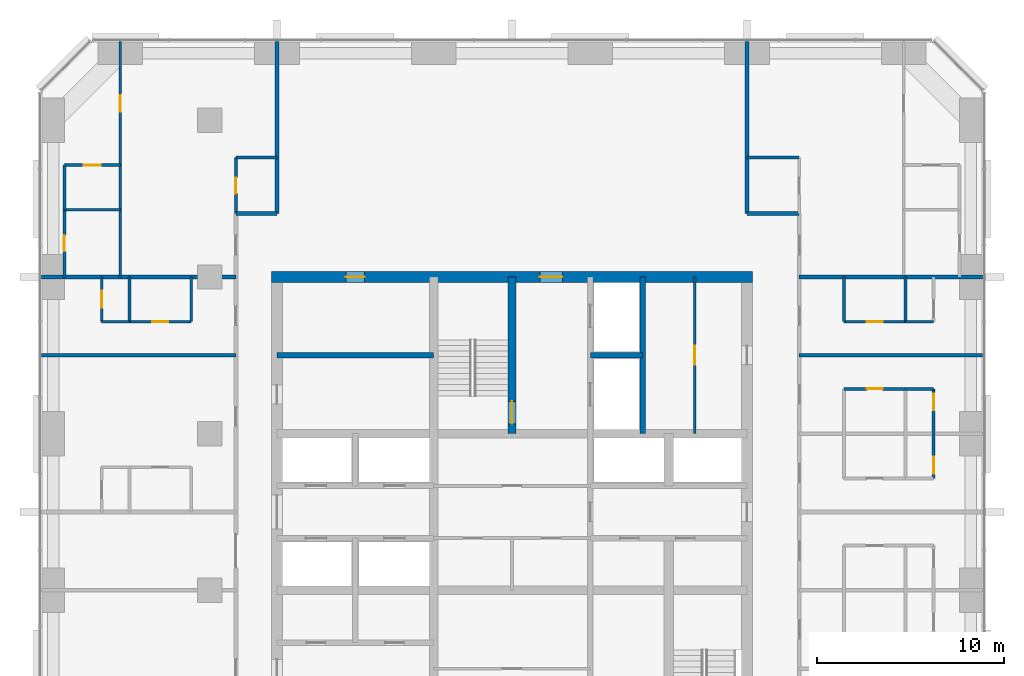
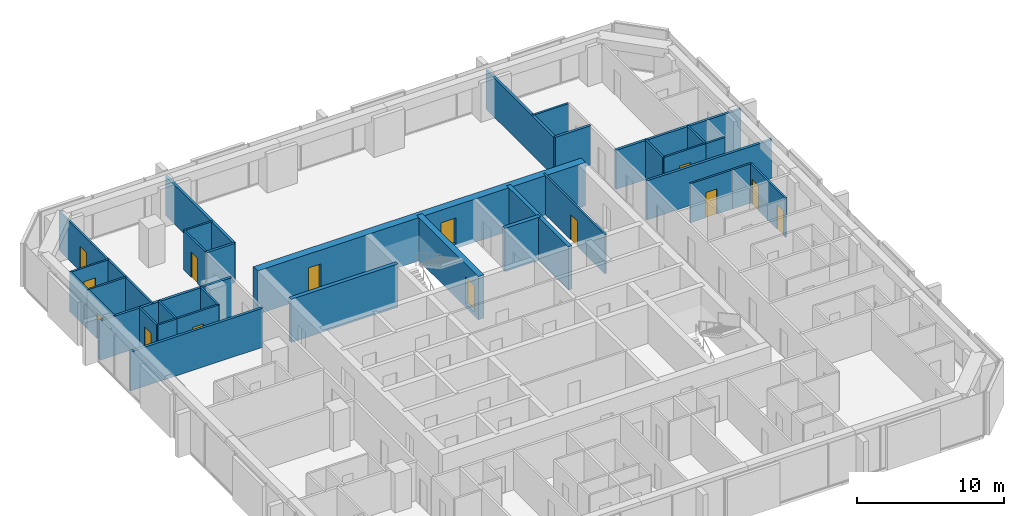
# One storey, part 12 of 14: 34 walls, 14 doors, 14 openings.
"""IFC4 building model written with IfcOpenShell, lengths in metres."""

import ifcopenshell
import ifcopenshell.guid

model = None  # the IFC model being written
_history = None  # IfcOwnerHistory: only IFC2X3 demands one
_inside = {}  # id of a spatial element -> (the spatial element, [elements in it])
_under = {}  # id of a project, library or spatial element -> (it, [spatial elements below it])
_declared = {}  # id of a project -> (the project, [libraries it declares])
_typed = {}  # id of a type object -> (the type object, [elements of that type])
_made_of = {}  # id of a material, layer set ... -> (it, [elements and type objects made of it])


def new_model(schema):
    """Start an empty IFC model of exactly this schema.

    Asked for "IFC4X3", IfcOpenShell would pick the latest addendum, in which some entities
    have other attributes; the version numbers below select the first issue.
    IFC2X3 requires an IfcOwnerHistory on every rooted entity: one is made here for all.
    """
    global model, _history
    if schema == "IFC4X3":
        model = ifcopenshell.file(schema_version=(4, 3, 0, 0))
    else:
        model = ifcopenshell.file(schema=schema)
    _inside.clear()
    _under.clear()
    _declared.clear()
    _typed.clear()
    _made_of.clear()
    _history = None
    if model.schema == "IFC2X3":
        org = make("IfcOrganization", Name="unknown")
        user = make(
            "IfcPersonAndOrganization",
            ThePerson=make("IfcPerson", FamilyName="unknown"),
            TheOrganization=org,
        )
        app = make(
            "IfcApplication",
            ApplicationDeveloper=org,
            Version="unknown",
            ApplicationFullName="unknown",
            ApplicationIdentifier="unknown",
        )
        _history = make(
            "IfcOwnerHistory",
            OwningUser=user,
            OwningApplication=app,
            ChangeAction="ADDED",
            CreationDate=0,
        )
    return model


def make(cls, **values):
    """One entity of the class cls with the attributes given. An attribute that is None is left unset."""
    return model.create_entity(
        cls, **{name: value for name, value in values.items() if value is not None}
    )


def rooted(cls, **values):
    """An entity with a GlobalId (a new one), such as an element, a storey or a relation."""
    return make(cls, GlobalId=ifcopenshell.guid.new(), OwnerHistory=_history, **values)


def si_unit(unit_type, name, prefix=None):
    """IfcSIUnit, for example si_unit("LENGTHUNIT", "METRE", prefix="MILLI")."""
    return make("IfcSIUnit", UnitType=unit_type, Prefix=prefix, Name=name)


def assignment(units):
    """IfcUnitAssignment: the units of a project."""
    return None if units is None else make("IfcUnitAssignment", Units=units)


def point(xyz):
    """IfcCartesianPoint."""
    return None if xyz is None else make("IfcCartesianPoint", Coordinates=xyz)


def direction(xyz):
    """IfcDirection."""
    return None if xyz is None else make("IfcDirection", DirectionRatios=xyz)


def frame(location, z_axis=None, x_axis=None):
    """IfcAxis2Placement3D, a coordinate frame: its origin and axes. An axis left out is left unset."""
    return make(
        "IfcAxis2Placement3D",
        Location=point(location),
        Axis=direction(z_axis),
        RefDirection=direction(x_axis),
    )


def frame_2d(location, x_axis=None):
    """IfcAxis2Placement2D, a coordinate frame in the plane: its origin and x axis."""
    return make(
        "IfcAxis2Placement2D", Location=point(location), RefDirection=direction(x_axis)
    )


def origin():
    """The frame at (0, 0, 0) with its axes left unset."""
    return frame((0.0, 0.0, 0.0))


def place(relative_to, where):
    """IfcLocalPlacement: puts the frame where relative to a parent placement (None: the world)."""
    return make(
        "IfcLocalPlacement", PlacementRelTo=relative_to, RelativePlacement=where
    )


def context(
    kind, dimensions, precision=None, world=None, true_north=None, identifier=None
):
    """IfcGeometricRepresentationContext, for example the 3D "Model" context."""
    return make(
        "IfcGeometricRepresentationContext",
        ContextIdentifier=identifier,
        ContextType=kind,
        CoordinateSpaceDimension=dimensions,
        Precision=precision,
        WorldCoordinateSystem=world,
        TrueNorth=true_north,
    )


def subcontext(parent, identifier, kind, view, scale=None):
    """IfcGeometricRepresentationSubContext, for example "Body" below "Model"."""
    return make(
        "IfcGeometricRepresentationSubContext",
        ContextIdentifier=identifier,
        ContextType=kind,
        ParentContext=parent,
        TargetScale=scale,
        TargetView=view,
    )


def project(units=None, contexts=None):
    """IfcProject with its units and contexts."""
    return rooted(
        "IfcProject",
        Name="project",
        RepresentationContexts=contexts,
        UnitsInContext=assignment(units),
    )


def spatial(cls, under=None, at=None, **own):
    """A site, building, storey or space (cls), placed at a placement, below another one or the project."""
    s = rooted(cls, ObjectPlacement=at, **own)
    if under is not None:
        _under.setdefault(under.id(), (under, []))[1].append(s)
    return s


def profile(cls, at=None, kind="AREA", **sizes):
    """A parametric profile (cls). Its sizes go by their IFC names, for example OverallWidth=200.0."""
    return make(cls, ProfileType=kind, Position=at, **sizes)


def rectangle(**sizes):
    """IfcRectangleProfileDef."""
    return profile("IfcRectangleProfileDef", **sizes)


def extrude(swept, where, along, depth):
    """IfcExtrudedAreaSolid: the profile swept, set in the frame where, extruded along a direction by depth."""
    return make(
        "IfcExtrudedAreaSolid",
        SweptArea=swept,
        Position=where,
        ExtrudedDirection=direction(along),
        Depth=depth,
    )


def shape(context_of_items, identifier, shape_type, items):
    """IfcShapeRepresentation: the items that make up one representation, for example the "Body"."""
    return make(
        "IfcShapeRepresentation",
        ContextOfItems=context_of_items,
        RepresentationIdentifier=identifier,
        RepresentationType=shape_type,
        Items=items,
    )


def material(Name=None, Category=None):
    """IfcMaterial."""
    return make("IfcMaterial", Name=Name, Category=Category)


def layer(
    of_material, thickness, ventilated=None, Name=None, Category=None, Priority=None
):
    """IfcMaterialLayer: one layer of a wall or slab, of a material (None: an air gap)."""
    return make(
        "IfcMaterialLayer",
        Material=of_material,
        LayerThickness=thickness,
        IsVentilated=ventilated,
        Name=Name,
        Category=Category,
        Priority=Priority,
    )


def layer_set(layers, Name=None):
    """IfcMaterialLayerSet."""
    return make("IfcMaterialLayerSet", MaterialLayers=layers, LayerSetName=Name)


def made_of(thing, what):
    """Note that an element or type object is made of a material, layer set ...; save() writes the relation."""
    if what is not None:
        _made_of.setdefault(what.id(), (what, []))[1].append(thing)
    return thing


def type_object(cls, material=None, **own):
    """A type object (cls), such as IfcWallType, which elements share."""
    return made_of(rooted(cls, **own), material)


def element(
    cls,
    number,
    at=None,
    inside=None,
    cuts=None,
    type_object=None,
    material=None,
    context=None,
    identifier="Body",
    shape_type=None,
    held_by="IfcProductDefinitionShape",
    body=None,
    shapes=None,
    **own,
):
    """One element of the class cls, such as IfcWall. Its Tag is "e" and its number.

    at: its placement. inside: the storey or other place that contains it. cuts: it is an
    opening in that element (IfcRelVoidsElement). A single representation is given by context,
    identifier, shape_type and body (its items); several are given by shapes. held_by: the class
    of the entity that holds the representations. save() writes the other relations.
    """
    e = rooted(cls, Tag="e%d" % number, ObjectPlacement=at, **own)
    if body is not None:
        shapes = [shape(context, identifier, shape_type, body)]
    if shapes is not None:
        e.Representation = make(held_by, Representations=shapes)
    if inside is not None:
        _inside.setdefault(inside.id(), (inside, []))[1].append(e)
    if cuts is not None:
        rooted(
            "IfcRelVoidsElement", RelatingBuildingElement=cuts, RelatedOpeningElement=e
        )
    if type_object is not None:
        _typed.setdefault(type_object.id(), (type_object, []))[1].append(e)
    return made_of(e, material)


def fill(opening, filler):
    """IfcRelFillsElement: the door or window that sits in an opening."""
    return rooted(
        "IfcRelFillsElement",
        RelatingOpeningElement=opening,
        RelatedBuildingElement=filler,
    )


def aggregate(whole, parts):
    """IfcRelAggregates: a whole, such as a stair, and the parts it consists of."""
    return rooted("IfcRelAggregates", RelatingObject=whole, RelatedObjects=parts)


def save(model, path):
    """Write the relations noted so far, then the file.

    IfcRelAggregates (storeys below a building ...), IfcRelContainedInSpatialStructure (elements
    in a storey), IfcRelDefinesByType, IfcRelAssociatesMaterial and IfcRelDeclares: one each for
    every whole, place, type object, material and project.
    """
    for whole, parts in _under.values():
        aggregate(whole, parts)
    for where, things in _inside.values():
        rooted(
            "IfcRelContainedInSpatialStructure",
            RelatedElements=things,
            RelatingStructure=where,
        )
    for kind, things in _typed.values():
        rooted("IfcRelDefinesByType", RelatedObjects=things, RelatingType=kind)
    for what, things in _made_of.values():
        rooted("IfcRelAssociatesMaterial", RelatedObjects=things, RelatingMaterial=what)
    for by, libraries in _declared.values():
        rooted("IfcRelDeclares", RelatingContext=by, RelatedDefinitions=libraries)
    model.write(path)


model = new_model("IFC4")

# Units and contexts
model_context = context("Model", 3, precision=1e-05, world=origin(), true_north=direction((0.0, 1.0)))
body_context = subcontext(model_context, "Body", "Model", "MODEL_VIEW")
ifc_project = project(units=[si_unit("LENGTHUNIT", "METRE"), si_unit("AREAUNIT", "SQUARE_METRE"), si_unit("VOLUMEUNIT", "CUBIC_METRE"), si_unit("PLANEANGLEUNIT", "RADIAN"), si_unit("MASSUNIT", "GRAM", prefix="KILO")], contexts=[model_context])

# Site, building, storey
site_placement = place(None, origin())
site = spatial("IfcSite", under=ifc_project, at=site_placement, CompositionType="ELEMENT")
building_placement = place(site_placement, origin())
building = spatial("IfcBuilding", under=site, at=building_placement, Name="Dunama Terrace Hotel", CompositionType="ELEMENT")
storey_placement = place(building_placement, frame((0.0, 0.0, 180.60009765625)))
storey = spatial("IfcBuildingStorey", under=building, at=storey_placement, Name="L46", CompositionType="ELEMENT", Elevation=180.60009765625)

# Wall, opening, door
ifc_material_1 = material(Name="Gypsum board partition", Category="masonry")
ifc_layer_1 = layer(ifc_material_1, 0.14990234375)
ifc_layer_set_1 = layer_set([ifc_layer_1], Name="Bathroom partition 150")
wall_type_1 = type_object("IfcWallType", Name="Bathroom partition 150", PredefinedType="PARTITIONING", material=ifc_layer_set_1)
wall_1_placement = place(storey_placement, frame((5.39990234375, 42.0, 0.0), z_axis=(0.0, 0.0, 1.0), x_axis=(0.0, 1.0, 0.0)))
wall_1 = element("IfcWall", 1, at=wall_1_placement, inside=storey, type_object=wall_type_1, Name="Bathroom partition 150 L46", PredefinedType="PARTITIONING", context=body_context, shape_type="SweptSolid", body=[
    extrude(rectangle(XDim=3.60009765625, YDim=0.14990234375, at=frame_2d((1.800048828125, 0.0))), origin(), (0.0, 0.0, 1.0), 3.25),
])
opening_1_placement = place(wall_1_placement, frame((1.375, 0.0, 0.0)))
opening_1 = element("IfcOpeningElement", 2, at=opening_1_placement, cuts=wall_1, Name="Opening L46-47-070", PredefinedType="OPENING", context=body_context, shape_type="SweptSolid", body=[
    extrude(rectangle(XDim=0.85009765625, YDim=2.10009765625, at=frame_2d((0.425048828125, 1.050048828125))), frame((0.0, 0.0849609375, 0.0), z_axis=(0.0, -1.0, 0.0), x_axis=(1.0, 0.0, 0.0)), (0.0, 0.0, 1.0), 0.169921875),
])
ifc_material_2 = material(Name="Timber door with steel frame", Category="steel")
door_type_1 = type_object("IfcDoorType", Name="Bathroom door 850", OperationType="SINGLE_SWING_LEFT", PredefinedType="DOOR", material=ifc_material_2)
door_1_placement = place(opening_1_placement, frame((0.85009765625, 0.0, 0.0), z_axis=(0.0, 0.0, 1.0), x_axis=(-1.0, 0.0, 0.0)))
door_1 = element("IfcDoor", 3, at=door_1_placement, inside=storey, type_object=door_type_1, Name="Door to en-suite bathroom L46-47-070, type D2", OperationType="SINGLE_SWING_RIGHT", OverallHeight=2.10009765625, OverallWidth=0.85009765625, PredefinedType="DOOR", context=body_context, shape_type="SweptSolid", body=[
    extrude(rectangle(XDim=0.85009765625, YDim=2.10009765625, at=frame_2d((0.425048828125, 1.050048828125))), frame((0.0, 0.025146484375, 0.0), z_axis=(0.0, -1.0, 0.0), x_axis=(1.0, 0.0, 0.0)), (0.0, 0.0, 1.0), 0.050048828125),
])
fill(opening_1, door_1)

# Wall
wall_2_placement = place(storey_placement, frame((12.199951171875, 39.60009765625, 0.0), z_axis=(0.0, 0.0, 1.0), x_axis=(0.0, 1.0, 0.0)))
element("IfcWall", 4, at=wall_2_placement, inside=storey, type_object=wall_type_1, Name="Bathroom partition 150 L46", PredefinedType="PARTITIONING", context=body_context, shape_type="SweptSolid", body=[
    extrude(rectangle(XDim=2.39990234375, YDim=0.14990234375, at=frame_2d((1.199951171875, 0.0))), origin(), (0.0, 0.0, 1.0), 3.25),
])

# Wall, opening, door
wall_3_placement = place(storey_placement, frame((14.60009765625, 45.39990234375, 0.0), z_axis=(0.0, 0.0, 1.0), x_axis=(0.0, 1.0, 0.0)))
wall_3 = element("IfcWall", 5, at=wall_3_placement, inside=storey, type_object=wall_type_1, Name="Bathroom partition 150 L46", PredefinedType="PARTITIONING", context=body_context, shape_type="SweptSolid", body=[
    extrude(rectangle(XDim=3.0, YDim=0.14990234375, at=frame_2d((1.5, 0.0))), origin(), (0.0, 0.0, 1.0), 3.25),
])
opening_2_placement = place(wall_3_placement, frame((1.074951171875, 0.0, 0.0)))
opening_2 = element("IfcOpeningElement", 6, at=opening_2_placement, cuts=wall_3, Name="Opening L46-47-068", PredefinedType="OPENING", context=body_context, shape_type="SweptSolid", body=[
    extrude(rectangle(XDim=0.85009765625, YDim=2.10009765625, at=frame_2d((0.425048828125, 1.050048828125))), frame((0.0, 0.0849609375, 0.0), z_axis=(0.0, -1.0, 0.0), x_axis=(1.0, 0.0, 0.0)), (0.0, 0.0, 1.0), 0.169921875),
])
door_2_placement = place(opening_2_placement, frame((0.85009765625, 0.0, 0.0), z_axis=(0.0, 0.0, 1.0), x_axis=(-1.0, 0.0, 0.0)))
door_2 = element("IfcDoor", 7, at=door_2_placement, inside=storey, type_object=door_type_1, Name="Door to powder room L46-47-068, type D2", OperationType="SINGLE_SWING_RIGHT", OverallHeight=2.10009765625, OverallWidth=0.85009765625, PredefinedType="DOOR", context=body_context, shape_type="SweptSolid", body=[
    extrude(rectangle(XDim=0.85009765625, YDim=2.10009765625, at=frame_2d((0.425048828125, 1.050048828125))), frame((0.0, 0.025146484375, 0.0), z_axis=(0.0, -1.0, 0.0), x_axis=(1.0, 0.0, 0.0)), (0.0, 0.0, 1.0), 0.050048828125),
])
fill(opening_2, door_2)

# Wall
wall_4_placement = place(storey_placement, frame((47.199951171875, 39.60009765625, 0.0), z_axis=(0.0, 0.0, 1.0), x_axis=(0.0, 1.0, 0.0)))
element("IfcWall", 8, at=wall_4_placement, inside=storey, type_object=wall_type_1, Name="Bathroom partition 150 L46", PredefinedType="PARTITIONING", context=body_context, shape_type="SweptSolid", body=[
    extrude(rectangle(XDim=2.39990234375, YDim=0.14990234375, at=frame_2d((1.199951171875, 0.0))), origin(), (0.0, 0.0, 1.0), 3.25),
])

# Wall, opening, door
wall_5_placement = place(storey_placement, frame((47.199951171875, 36.0, 0.0), z_axis=(0.0, 0.0, 1.0), x_axis=(1.0, 0.0, 0.0)))
wall_5 = element("IfcWall", 9, at=wall_5_placement, inside=storey, type_object=wall_type_1, Name="Bathroom partition 150 L46", PredefinedType="PARTITIONING", context=body_context, shape_type="SweptSolid", body=[
    extrude(rectangle(XDim=3.300048828125, YDim=0.14990234375, at=frame_2d((1.64990234375, 0.0))), origin(), (0.0, 0.0, 1.0), 3.25),
])
opening_3_placement = place(wall_5_placement, frame((1.22509765625, 0.0, 0.0)))
opening_3 = element("IfcOpeningElement", 10, at=opening_3_placement, cuts=wall_5, Name="Opening L46-47-037", PredefinedType="OPENING", context=body_context, shape_type="SweptSolid", body=[
    extrude(rectangle(XDim=0.85009765625, YDim=2.10009765625, at=frame_2d((0.425048828125, 1.050048828125))), frame((0.0, 0.0849609375, 0.0), z_axis=(0.0, -1.0, 0.0), x_axis=(1.0, 0.0, 0.0)), (0.0, 0.0, 1.0), 0.169921875),
])
door_3_placement = place(opening_3_placement, frame((0.85009765625, 0.0, 0.0), z_axis=(0.0, 0.0, 1.0), x_axis=(-1.0, 0.0, 0.0)))
door_3 = element("IfcDoor", 11, at=door_3_placement, inside=storey, type_object=door_type_1, Name="Door to en-suite bathroom L46-47-037, type D2", OperationType="SINGLE_SWING_LEFT", OverallHeight=2.10009765625, OverallWidth=0.85009765625, PredefinedType="DOOR", context=body_context, shape_type="SweptSolid", body=[
    extrude(rectangle(XDim=0.85009765625, YDim=2.10009765625, at=frame_2d((0.425048828125, 1.050048828125))), frame((0.0, 0.025146484375, 0.0), z_axis=(0.0, -1.0, 0.0), x_axis=(1.0, 0.0, 0.0)), (0.0, 0.0, 1.0), 0.050048828125),
])
fill(opening_3, door_3)

wall_6_placement = place(storey_placement, frame((8.89990234375, 39.60009765625, 0.0), z_axis=(0.0, 0.0, 1.0), x_axis=(1.0, 0.0, 0.0)))
wall_6 = element("IfcWall", 12, at=wall_6_placement, inside=storey, type_object=wall_type_1, Name="Bathroom partition 150 L46", PredefinedType="PARTITIONING", context=body_context, shape_type="SweptSolid", body=[
    extrude(rectangle(XDim=3.300048828125, YDim=0.14990234375, at=frame_2d((1.64990234375, 0.0))), origin(), (0.0, 0.0, 1.0), 3.25),
])
opening_4_placement = place(wall_6_placement, frame((1.22509765625, 0.0, 0.0)))
opening_4 = element("IfcOpeningElement", 13, at=opening_4_placement, cuts=wall_6, Name="Opening L46-47-050", PredefinedType="OPENING", context=body_context, shape_type="SweptSolid", body=[
    extrude(rectangle(XDim=0.85009765625, YDim=2.10009765625, at=frame_2d((0.425048828125, 1.050048828125))), frame((0.0, 0.0849609375, 0.0), z_axis=(0.0, -1.0, 0.0), x_axis=(1.0, 0.0, 0.0)), (0.0, 0.0, 1.0), 0.169921875),
])
door_4_placement = place(opening_4_placement, origin())
door_4 = element("IfcDoor", 14, at=door_4_placement, inside=storey, type_object=door_type_1, Name="Door to en-suite bathroom L46-47-050, type D2", OperationType="SINGLE_SWING_LEFT", OverallHeight=2.10009765625, OverallWidth=0.85009765625, PredefinedType="DOOR", context=body_context, shape_type="SweptSolid", body=[
    extrude(rectangle(XDim=0.85009765625, YDim=2.10009765625, at=frame_2d((0.425048828125, 1.050048828125))), frame((0.0, 0.02490234375, 0.0), z_axis=(0.0, -1.0, 0.0), x_axis=(1.0, 0.0, 0.0)), (0.0, 0.0, 1.0), 0.050048828125),
])
fill(opening_4, door_4)

wall_7_placement = place(storey_placement, frame((47.199951171875, 39.60009765625, 0.0), z_axis=(0.0, 0.0, 1.0), x_axis=(1.0, 0.0, 0.0)))
wall_7 = element("IfcWall", 15, at=wall_7_placement, inside=storey, type_object=wall_type_1, Name="Bathroom partition 150 L46", PredefinedType="PARTITIONING", context=body_context, shape_type="SweptSolid", body=[
    extrude(rectangle(XDim=3.300048828125, YDim=0.14990234375, at=frame_2d((1.64990234375, 0.0))), origin(), (0.0, 0.0, 1.0), 3.25),
])
opening_5_placement = place(wall_7_placement, frame((1.22509765625, 0.0, 0.0)))
opening_5 = element("IfcOpeningElement", 16, at=opening_5_placement, cuts=wall_7, Name="Opening L46-47-040", PredefinedType="OPENING", context=body_context, shape_type="SweptSolid", body=[
    extrude(rectangle(XDim=0.85009765625, YDim=2.10009765625, at=frame_2d((0.425048828125, 1.050048828125))), frame((0.0, 0.0849609375, 0.0), z_axis=(0.0, -1.0, 0.0), x_axis=(1.0, 0.0, 0.0)), (0.0, 0.0, 1.0), 0.169921875),
])
door_5_placement = place(opening_5_placement, origin())
door_5 = element("IfcDoor", 17, at=door_5_placement, inside=storey, type_object=door_type_1, Name="Door to en-suite bathroom L46-47-040, type D2", OperationType="SINGLE_SWING_RIGHT", OverallHeight=2.10009765625, OverallWidth=0.85009765625, PredefinedType="DOOR", context=body_context, shape_type="SweptSolid", body=[
    extrude(rectangle(XDim=0.85009765625, YDim=2.10009765625, at=frame_2d((0.425048828125, 1.050048828125))), frame((0.0, 0.02490234375, 0.0), z_axis=(0.0, -1.0, 0.0), x_axis=(1.0, 0.0, 0.0)), (0.0, 0.0, 1.0), 0.050048828125),
])
fill(opening_5, door_5)

# Walls
wall_8_placement = place(storey_placement, frame((14.60009765625, 48.39990234375, 0.0), z_axis=(0.0, 0.0, 1.0), x_axis=(1.0, 0.0, 0.0)))
element("IfcWall", 18, at=wall_8_placement, inside=storey, type_object=wall_type_1, Name="Bathroom partition 150 L46", PredefinedType="PARTITIONING", context=body_context, shape_type="SweptSolid", body=[
    extrude(rectangle(XDim=2.199951171875, YDim=0.14990234375, at=frame_2d((1.10009765625, 0.0))), origin(), (0.0, 0.0, 1.0), 3.25),
])
wall_9_placement = place(storey_placement, frame((42.0, 48.39990234375, 0.0), z_axis=(0.0, 0.0, 1.0), x_axis=(1.0, 0.0, 0.0)))
element("IfcWall", 19, at=wall_9_placement, inside=storey, type_object=wall_type_1, Name="Bathroom partition 150 L46", PredefinedType="PARTITIONING", context=body_context, shape_type="SweptSolid", body=[
    extrude(rectangle(XDim=2.800048828125, YDim=0.14990234375, at=frame_2d((1.39990234375, 0.0))), origin(), (0.0, 0.0, 1.0), 3.25),
])
ifc_material_3 = material(Name="Concrete C50/60", Category="concrete")
ifc_layer_2 = layer(ifc_material_3, 0.300048828125)
ifc_layer_set_2 = layer_set([ifc_layer_2], Name="Core inner wall 300")
wall_type_2 = type_object("IfcWallType", Name="Core inner wall 300", PredefinedType="SHEAR", material=ifc_layer_set_2)
for number, where, z_axis, x_axis, name in (
    (20, (36.39990234375, 33.60009765625, -0.35009765625), (0.0, 0.0, 1.0), (0.0, 1.0, 0.0), "Core inner wall 300 L46"),
    (21, (16.800048828125, 37.800048828125, -0.35009765625), (0.0, 0.0, 1.0), (1.0, 0.0, 0.0), "Core inner wall 300 L46"),
):
    element("IfcWall", number, at=place(storey_placement, frame(where, z_axis=z_axis, x_axis=x_axis)), inside=storey, type_object=wall_type_2, Name=name, PredefinedType="SHEAR", context=body_context, shape_type="SweptSolid", body=[
        extrude(rectangle(XDim=8.39990234375, YDim=0.300048828125, at=frame_2d((4.199951171875, 0.0))), origin(), (0.0, 0.0, 1.0), 3.60009765625),
    ])
wall_10_placement = place(storey_placement, frame((33.60009765625, 37.800048828125, -0.35009765625), z_axis=(0.0, 0.0, 1.0), x_axis=(1.0, 0.0, 0.0)))
element("IfcWall", 22, at=wall_10_placement, inside=storey, type_object=wall_type_2, Name="Core inner wall 300 L46", PredefinedType="SHEAR", context=body_context, shape_type="SweptSolid", body=[
    extrude(rectangle(XDim=2.7998046875, YDim=0.300048828125, at=frame_2d((1.39990234375, 0.0))), origin(), (0.0, 0.0, 1.0), 3.60009765625),
])

# Wall, opening, door
ifc_material_4 = material(Name="Concrete C50/60", Category="concrete")
ifc_layer_3 = layer(ifc_material_4, 0.449951171875)
ifc_layer_set_3 = layer_set([ifc_layer_3], Name="Core inner wall 450")
wall_type_3 = type_object("IfcWallType", Name="Core inner wall 450", PredefinedType="SHEAR", material=ifc_layer_set_3)
wall_11_placement = place(storey_placement, frame((29.39990234375, 33.60009765625, -0.35009765625), z_axis=(0.0, 0.0, 1.0), x_axis=(0.0, 1.0, 0.0)))
wall_11 = element("IfcWall", 23, at=wall_11_placement, inside=storey, type_object=wall_type_3, Name="Core inner wall 450 L46", PredefinedType="SHEAR", context=body_context, shape_type="SweptSolid", body=[
    extrude(rectangle(XDim=8.39990234375, YDim=0.449951171875, at=frame_2d((4.199951171875, 0.0))), origin(), (0.0, 0.0, 1.0), 3.60009765625),
])
opening_6_placement = place(wall_11_placement, frame((0.52490234375, 0.0, 0.35009765625)))
opening_6 = element("IfcOpeningElement", 24, at=opening_6_placement, cuts=wall_11, Name="Opening L46-47-001", PredefinedType="OPENING", context=body_context, shape_type="SweptSolid", body=[
    extrude(rectangle(XDim=1.199951171875, YDim=2.199951171875, at=frame_2d((0.60009765625, 1.10009765625))), frame((0.0, 0.23486328125, 0.0), z_axis=(0.0, -1.0, 0.0), x_axis=(1.0, 0.0, 0.0)), (0.0, 0.0, 1.0), 0.469970703125),
])
ifc_material_5 = material(Name="Timber door with steel frame", Category="steel")
door_type_2 = type_object("IfcDoorType", Name="Stair door 1200", OperationType="SINGLE_SWING_LEFT", PredefinedType="DOOR", material=ifc_material_5)
door_6_placement = place(opening_6_placement, origin())
door_6 = element("IfcDoor", 25, at=door_6_placement, inside=storey, type_object=door_type_2, Name="Stair door ST1 L46-47-001, type D5", OperationType="SINGLE_SWING_LEFT", OverallHeight=2.199951171875, OverallWidth=1.199951171875, PredefinedType="DOOR", context=body_context, shape_type="SweptSolid", body=[
    extrude(rectangle(XDim=1.199951171875, YDim=2.199951171875, at=frame_2d((0.60009765625, 1.10009765625))), frame((0.0, 0.02490234375, 0.0), z_axis=(0.0, -1.0, 0.0), x_axis=(1.0, 0.0, 0.0)), (0.0, 0.0, 1.0), 0.050048828125),
])
fill(opening_6, door_6)

# Wall, openings, doors
ifc_material_6 = material(Name="Concrete C50/60", Category="concrete")
ifc_layer_4 = layer(ifc_material_6, 0.60009765625)
ifc_layer_set_4 = layer_set([ifc_layer_4], Name="Core wall 600")
wall_type_4 = type_object("IfcWallType", Name="Core wall 600", PredefinedType="SHEAR", material=ifc_layer_set_4)
wall_12_placement = place(storey_placement, frame((42.300048828125, 42.0, -0.35009765625), z_axis=(0.0, 0.0, 1.0), x_axis=(-1.0, 0.0, 0.0)))
wall_12 = element("IfcWall", 26, at=wall_12_placement, inside=storey, type_object=wall_type_4, Name="Core wall north L46", PredefinedType="SHEAR", context=body_context, shape_type="SweptSolid", body=[
    extrude(rectangle(XDim=25.800048828125, YDim=0.60009765625, at=frame_2d((12.89990234375, 0.0))), origin(), (0.0, 0.0, 1.0), 3.60009765625),
])
opening_7_placement = place(wall_12_placement, frame((20.800048828125, 0.0, 0.35009765625)))
opening_7 = element("IfcOpeningElement", 27, at=opening_7_placement, cuts=wall_12, Name="Opening L46-47-079", PredefinedType="OPENING", context=body_context, shape_type="SweptSolid", body=[
    extrude(rectangle(XDim=1.0, YDim=2.10009765625, at=frame_2d((0.5, 1.050048828125))), frame((0.0, 0.31005859375, 0.0), z_axis=(0.0, -1.0, 0.0), x_axis=(1.0, 0.0, 0.0)), (0.0, 0.0, 1.0), 0.6201171875),
])
opening_8_placement = place(wall_12_placement, frame((10.199951171875, 0.0, 0.35009765625)))
opening_8 = element("IfcOpeningElement", 28, at=opening_8_placement, cuts=wall_12, Name="Opening L46-47-087", PredefinedType="OPENING", context=body_context, shape_type="SweptSolid", body=[
    extrude(rectangle(XDim=1.199951171875, YDim=2.199951171875, at=frame_2d((0.60009765625, 1.10009765625))), frame((0.0, 0.31005859375, 0.0), z_axis=(0.0, -1.0, 0.0), x_axis=(1.0, 0.0, 0.0)), (0.0, 0.0, 1.0), 0.6201171875),
])
ifc_material_7 = material(Name="Timber door with steel frame", Category="steel")
door_type_3 = type_object("IfcDoorType", Name="Firefighting lobby door 1200", OperationType="SINGLE_SWING_LEFT", PredefinedType="DOOR", material=ifc_material_7)
door_7_placement = place(opening_8_placement, origin())
door_7 = element("IfcDoor", 29, at=door_7_placement, inside=storey, type_object=door_type_3, Name="Door to firefighting lobby L46-47-087, type D4", OperationType="SINGLE_SWING_RIGHT", OverallHeight=2.199951171875, OverallWidth=1.199951171875, PredefinedType="DOOR", context=body_context, shape_type="SweptSolid", body=[
    extrude(rectangle(XDim=1.199951171875, YDim=2.199951171875, at=frame_2d((0.60009765625, 1.10009765625))), frame((0.0, 0.02490234375, 0.0), z_axis=(0.0, -1.0, 0.0), x_axis=(1.0, 0.0, 0.0)), (0.0, 0.0, 1.0), 0.050048828125),
])
fill(opening_8, door_7)
ifc_material_8 = material(Name="Timber door with steel frame", Category="steel")
door_type_4 = type_object("IfcDoorType", Name="Service door 1000", OperationType="SINGLE_SWING_LEFT", PredefinedType="DOOR", material=ifc_material_8)
door_8_placement = place(opening_7_placement, origin())
door_8 = element("IfcDoor", 30, at=door_8_placement, inside=storey, type_object=door_type_4, Name="Door to communications and riser room L46-47-079, type D7", OperationType="SINGLE_SWING_LEFT", OverallHeight=2.10009765625, OverallWidth=1.0, PredefinedType="DOOR", context=body_context, shape_type="SweptSolid", body=[
    extrude(rectangle(XDim=1.0, YDim=2.10009765625, at=frame_2d((0.5, 1.050048828125))), frame((0.0, 0.02490234375, 0.0), z_axis=(0.0, -1.0, 0.0), x_axis=(1.0, 0.0, 0.0)), (0.0, 0.0, 1.0), 0.050048828125),
])
fill(opening_7, door_8)

# Walls
ifc_material_9 = material(Name="Concrete blockwork", Category="masonry")
ifc_layer_5 = layer(ifc_material_9, 0.199951171875)
ifc_layer_set_5 = layer_set([ifc_layer_5], Name="Corridor partition 200")
wall_type_5 = type_object("IfcWallType", Name="Corridor partition 200", PredefinedType="PARTITIONING", material=ifc_layer_set_5)
wall_13_placement = place(storey_placement, frame((16.800048828125, 45.39990234375, 0.0), z_axis=(0.0, 0.0, 1.0), x_axis=(0.0, 1.0, 0.0)))
element("IfcWall", 31, at=wall_13_placement, inside=storey, type_object=wall_type_5, Name="Corridor partition 200 L46", PredefinedType="PARTITIONING", context=body_context, shape_type="SweptSolid", body=[
    extrude(rectangle(XDim=9.218017578125, YDim=0.199951171875, at=frame_2d((4.60888671875, 0.0))), origin(), (0.0, 0.0, 1.0), 3.25),
])
wall_14_placement = place(storey_placement, frame((14.60009765625, 45.39990234375, 0.0), z_axis=(0.0, 0.0, 1.0), x_axis=(1.0, 0.0, 0.0)))
element("IfcWall", 32, at=wall_14_placement, inside=storey, type_object=wall_type_5, Name="Corridor partition 200 L46", PredefinedType="PARTITIONING", context=body_context, shape_type="SweptSolid", body=[
    extrude(rectangle(XDim=2.199951171875, YDim=0.199951171875, at=frame_2d((1.10009765625, 0.0))), origin(), (0.0, 0.0, 1.0), 3.25),
])
wall_15_placement = place(storey_placement, frame((42.0, 45.39990234375, 0.0), z_axis=(0.0, 0.0, 1.0), x_axis=(1.0, 0.0, 0.0)))
element("IfcWall", 33, at=wall_15_placement, inside=storey, type_object=wall_type_5, Name="Corridor partition 200 L46", PredefinedType="PARTITIONING", context=body_context, shape_type="SweptSolid", body=[
    extrude(rectangle(XDim=2.800048828125, YDim=0.199951171875, at=frame_2d((1.39990234375, 0.0))), origin(), (0.0, 0.0, 1.0), 3.25),
])
wall_16_placement = place(storey_placement, frame((42.0, 54.617919921875, 0.0), z_axis=(0.0, 0.0, 1.0), x_axis=(0.0, -1.0, 0.0)))
element("IfcWall", 34, at=wall_16_placement, inside=storey, type_object=wall_type_5, Name="Corridor partition 200 L46", PredefinedType="PARTITIONING", context=body_context, shape_type="SweptSolid", body=[
    extrude(rectangle(XDim=9.218017578125, YDim=0.199951171875, at=frame_2d((4.60888671875, 0.0))), origin(), (0.0, 0.0, 1.0), 3.25),
])
ifc_material_10 = material(Name="Concrete blockwork", Category="masonry")
ifc_layer_6 = layer(ifc_material_10, 0.199951171875)
ifc_layer_set_6 = layer_set([ifc_layer_6], Name="Party wall 200")
wall_type_6 = type_object("IfcWallType", Name="Party wall 200", PredefinedType="PARTITIONING", material=ifc_layer_set_6)
wall_17_placement = place(storey_placement, frame((4.181884765625, 37.800048828125, 0.0), z_axis=(0.0, 0.0, 1.0), x_axis=(1.0, 0.0, 0.0)))
element("IfcWall", 35, at=wall_17_placement, inside=storey, type_object=wall_type_6, Name="Party wall 200 L46", PredefinedType="PARTITIONING", context=body_context, shape_type="SweptSolid", body=[
    extrude(rectangle(XDim=10.418212890625, YDim=0.199951171875, at=frame_2d((5.208984375, 0.0))), origin(), (0.0, 0.0, 1.0), 3.25),
])
wall_18_placement = place(storey_placement, frame((44.800048828125, 37.800048828125, 0.0), z_axis=(0.0, 0.0, 1.0), x_axis=(1.0, 0.0, 0.0)))
element("IfcWall", 36, at=wall_18_placement, inside=storey, type_object=wall_type_6, Name="Party wall 200 L46", PredefinedType="PARTITIONING", context=body_context, shape_type="SweptSolid", body=[
    extrude(rectangle(XDim=9.81787109375, YDim=0.199951171875, at=frame_2d((4.908935546875, 0.0))), origin(), (0.0, 0.0, 1.0), 3.25),
])
wall_19_placement = place(storey_placement, frame((4.181884765625, 42.0, 0.0), z_axis=(0.0, 0.0, 1.0), x_axis=(1.0, 0.0, 0.0)))
element("IfcWall", 37, at=wall_19_placement, inside=storey, type_object=wall_type_6, Name="Party wall 200 L46", PredefinedType="PARTITIONING", context=body_context, shape_type="SweptSolid", body=[
    extrude(rectangle(XDim=10.418212890625, YDim=0.199951171875, at=frame_2d((5.208984375, 0.0))), origin(), (0.0, 0.0, 1.0), 3.25),
])
wall_20_placement = place(storey_placement, frame((44.800048828125, 42.0, 0.0), z_axis=(0.0, 0.0, 1.0), x_axis=(1.0, 0.0, 0.0)))
element("IfcWall", 38, at=wall_20_placement, inside=storey, type_object=wall_type_6, Name="Party wall 200 L46", PredefinedType="PARTITIONING", context=body_context, shape_type="SweptSolid", body=[
    extrude(rectangle(XDim=9.81787109375, YDim=0.199951171875, at=frame_2d((4.908935546875, 0.0))), origin(), (0.0, 0.0, 1.0), 3.25),
])
ifc_material_11 = material(Name="Gypsum board partition", Category="masonry")
ifc_layer_7 = layer(ifc_material_11, 0.14990234375)
ifc_layer_set_7 = layer_set([ifc_layer_7], Name="Room partition 150")
wall_type_7 = type_object("IfcWallType", Name="Room partition 150", PredefinedType="PARTITIONING", material=ifc_layer_set_7)
wall_21_placement = place(storey_placement, frame((5.39990234375, 45.60009765625, 0.0), z_axis=(0.0, 0.0, 1.0), x_axis=(0.0, 1.0, 0.0)))
element("IfcWall", 39, at=wall_21_placement, inside=storey, type_object=wall_type_7, Name="Room partition 150 L46", PredefinedType="PARTITIONING", context=body_context, shape_type="SweptSolid", body=[
    extrude(rectangle(XDim=2.39990234375, YDim=0.14990234375, at=frame_2d((1.199951171875, 0.0))), origin(), (0.0, 0.0, 1.0), 3.25),
])

# Wall, opening, door
wall_22_placement = place(storey_placement, frame((7.39990234375, 39.60009765625, 0.0), z_axis=(0.0, 0.0, 1.0), x_axis=(0.0, 1.0, 0.0)))
wall_22 = element("IfcWall", 40, at=wall_22_placement, inside=storey, type_object=wall_type_7, Name="Room partition 150 L46", PredefinedType="PARTITIONING", context=body_context, shape_type="SweptSolid", body=[
    extrude(rectangle(XDim=2.39990234375, YDim=0.14990234375, at=frame_2d((1.199951171875, 0.0))), origin(), (0.0, 0.0, 1.0), 3.25),
])
opening_9_placement = place(wall_22_placement, frame((0.75, 0.0, 0.0)))
opening_9 = element("IfcOpeningElement", 41, at=opening_9_placement, cuts=wall_22, Name="Opening L46-47-051", PredefinedType="OPENING", context=body_context, shape_type="SweptSolid", body=[
    extrude(rectangle(XDim=0.89990234375, YDim=2.10009765625, at=frame_2d((0.449951171875, 1.050048828125))), frame((0.0, 0.0849609375, 0.0), z_axis=(0.0, -1.0, 0.0), x_axis=(1.0, 0.0, 0.0)), (0.0, 0.0, 1.0), 0.169921875),
])
ifc_material_12 = material(Name="Timber door with steel frame", Category="steel")
door_type_5 = type_object("IfcDoorType", Name="Suite internal door 900", OperationType="SINGLE_SWING_LEFT", PredefinedType="DOOR", material=ifc_material_12)
door_9_placement = place(opening_9_placement, frame((0.89990234375, 0.0, 0.0), z_axis=(0.0, 0.0, 1.0), x_axis=(-1.0, 0.0, 0.0)))
door_9 = element("IfcDoor", 42, at=door_9_placement, inside=storey, type_object=door_type_5, Name="Door to walk-in wardrobe L46-47-051, type D16", OperationType="SINGLE_SWING_RIGHT", OverallHeight=2.10009765625, OverallWidth=0.89990234375, PredefinedType="DOOR", context=body_context, shape_type="SweptSolid", body=[
    extrude(rectangle(XDim=0.89990234375, YDim=2.10009765625, at=frame_2d((0.449951171875, 1.050048828125))), frame((0.0, 0.025146484375, 0.0), z_axis=(0.0, -1.0, 0.0), x_axis=(1.0, 0.0, 0.0)), (0.0, 0.0, 1.0), 0.050048828125),
])
fill(opening_9, door_9)

wall_23_placement = place(storey_placement, frame((8.39990234375, 42.0, 0.0), z_axis=(0.0, 0.0, 1.0), x_axis=(0.0, 1.0, 0.0)))
wall_23 = element("IfcWall", 43, at=wall_23_placement, inside=storey, type_object=wall_type_7, Name="Room partition 150 L46", PredefinedType="PARTITIONING", context=body_context, shape_type="SweptSolid", body=[
    extrude(rectangle(XDim=12.617919921875, YDim=0.14990234375, at=frame_2d((6.30908203125, 0.0))), origin(), (0.0, 0.0, 1.0), 3.25),
])
opening_10_placement = place(wall_23_placement, frame((8.85009765625, 0.0, 0.0)))
opening_10 = element("IfcOpeningElement", 44, at=opening_10_placement, cuts=wall_23, Name="Opening L46-47-069", PredefinedType="OPENING", context=body_context, shape_type="SweptSolid", body=[
    extrude(rectangle(XDim=0.89990234375, YDim=2.10009765625, at=frame_2d((0.449951171875, 1.050048828125))), frame((0.0, 0.0849609375, 0.0), z_axis=(0.0, -1.0, 0.0), x_axis=(1.0, 0.0, 0.0)), (0.0, 0.0, 1.0), 0.169921875),
])
door_10_placement = place(opening_10_placement, origin())
door_10 = element("IfcDoor", 45, at=door_10_placement, inside=storey, type_object=door_type_5, Name="Door to corner suite bedroom L46-47-069, type D16", OperationType="SINGLE_SWING_RIGHT", OverallHeight=2.10009765625, OverallWidth=0.89990234375, PredefinedType="DOOR", context=body_context, shape_type="SweptSolid", body=[
    extrude(rectangle(XDim=0.89990234375, YDim=2.10009765625, at=frame_2d((0.449951171875, 1.050048828125))), frame((0.0, 0.02490234375, 0.0), z_axis=(0.0, -1.0, 0.0), x_axis=(1.0, 0.0, 0.0)), (0.0, 0.0, 1.0), 0.050048828125),
])
fill(opening_10, door_10)

# Wall
wall_24_placement = place(storey_placement, frame((8.89990234375, 39.60009765625, 0.0), z_axis=(0.0, 0.0, 1.0), x_axis=(0.0, 1.0, 0.0)))
element("IfcWall", 46, at=wall_24_placement, inside=storey, type_object=wall_type_7, Name="Room partition 150 L46", PredefinedType="PARTITIONING", context=body_context, shape_type="SweptSolid", body=[
    extrude(rectangle(XDim=2.39990234375, YDim=0.14990234375, at=frame_2d((1.199951171875, 0.0))), origin(), (0.0, 0.0, 1.0), 3.25),
])

# Wall, opening, door
wall_25_placement = place(storey_placement, frame((39.199951171875, 33.60009765625, 0.0), z_axis=(0.0, 0.0, 1.0), x_axis=(0.0, 1.0, 0.0)))
wall_25 = element("IfcWall", 47, at=wall_25_placement, inside=storey, type_object=wall_type_7, Name="Room partition 150 L46", PredefinedType="PARTITIONING", context=body_context, shape_type="SweptSolid", body=[
    extrude(rectangle(XDim=8.39990234375, YDim=0.14990234375, at=frame_2d((4.199951171875, 0.0))), origin(), (0.0, 0.0, 1.0), 3.25),
])
opening_11_placement = place(wall_25_placement, frame((3.699951171875, 0.0, 0.0)))
opening_11 = element("IfcOpeningElement", 48, at=opening_11_placement, cuts=wall_25, Name="Opening L46-47-089", PredefinedType="OPENING", context=body_context, shape_type="SweptSolid", body=[
    extrude(rectangle(XDim=1.0, YDim=2.10009765625, at=frame_2d((0.5, 1.050048828125))), frame((0.0, 0.0849609375, 0.0), z_axis=(0.0, -1.0, 0.0), x_axis=(1.0, 0.0, 0.0)), (0.0, 0.0, 1.0), 0.169921875),
])
door_11_placement = place(opening_11_placement, origin())
door_11 = element("IfcDoor", 49, at=door_11_placement, inside=storey, type_object=door_type_4, Name="Door to luggage store L46-47-089, type D7", OperationType="SINGLE_SWING_LEFT", OverallHeight=2.10009765625, OverallWidth=1.0, PredefinedType="DOOR", context=body_context, shape_type="SweptSolid", body=[
    extrude(rectangle(XDim=1.0, YDim=2.10009765625, at=frame_2d((0.5, 1.050048828125))), frame((0.0, 0.02490234375, 0.0), z_axis=(0.0, -1.0, 0.0), x_axis=(1.0, 0.0, 0.0)), (0.0, 0.0, 1.0), 0.050048828125),
])
fill(opening_11, door_11)

# Wall
wall_26_placement = place(storey_placement, frame((50.5, 39.60009765625, 0.0), z_axis=(0.0, 0.0, 1.0), x_axis=(0.0, 1.0, 0.0)))
element("IfcWall", 50, at=wall_26_placement, inside=storey, type_object=wall_type_7, Name="Room partition 150 L46", PredefinedType="PARTITIONING", context=body_context, shape_type="SweptSolid", body=[
    extrude(rectangle(XDim=2.39990234375, YDim=0.14990234375, at=frame_2d((1.199951171875, 0.0))), origin(), (0.0, 0.0, 1.0), 3.25),
])

# Wall, openings, doors
wall_27_placement = place(storey_placement, frame((52.0, 31.199951171875, 0.0), z_axis=(0.0, 0.0, 1.0), x_axis=(0.0, 1.0, 0.0)))
wall_27 = element("IfcWall", 51, at=wall_27_placement, inside=storey, type_object=wall_type_7, Name="Room partition 150 L46", PredefinedType="PARTITIONING", context=body_context, shape_type="SweptSolid", body=[
    extrude(rectangle(XDim=4.800048828125, YDim=0.14990234375, at=frame_2d((2.39990234375, 0.0))), origin(), (0.0, 0.0, 1.0), 3.25),
])
opening_12_placement = place(wall_27_placement, frame((0.25, 0.0, 0.0)))
opening_12 = element("IfcOpeningElement", 52, at=opening_12_placement, cuts=wall_27, Name="Opening L46-47-035", PredefinedType="OPENING", context=body_context, shape_type="SweptSolid", body=[
    extrude(rectangle(XDim=0.89990234375, YDim=2.10009765625, at=frame_2d((0.449951171875, 1.050048828125))), frame((0.0, 0.0849609375, 0.0), z_axis=(0.0, -1.0, 0.0), x_axis=(1.0, 0.0, 0.0)), (0.0, 0.0, 1.0), 0.169921875),
])
opening_13_placement = place(wall_27_placement, frame((3.64990234375, 0.0, 0.0)))
opening_13 = element("IfcOpeningElement", 53, at=opening_13_placement, cuts=wall_27, Name="Opening L46-47-038", PredefinedType="OPENING", context=body_context, shape_type="SweptSolid", body=[
    extrude(rectangle(XDim=0.89990234375, YDim=2.10009765625, at=frame_2d((0.449951171875, 1.050048828125))), frame((0.0, 0.0849609375, 0.0), z_axis=(0.0, -1.0, 0.0), x_axis=(1.0, 0.0, 0.0)), (0.0, 0.0, 1.0), 0.169921875),
])
door_12_placement = place(opening_12_placement, origin())
door_12 = element("IfcDoor", 54, at=door_12_placement, inside=storey, type_object=door_type_5, Name="Door to walk-in wardrobe L46-47-035, type D16", OperationType="SINGLE_SWING_LEFT", OverallHeight=2.10009765625, OverallWidth=0.89990234375, PredefinedType="DOOR", context=body_context, shape_type="SweptSolid", body=[
    extrude(rectangle(XDim=0.89990234375, YDim=2.10009765625, at=frame_2d((0.449951171875, 1.050048828125))), frame((0.0, 0.02490234375, 0.0), z_axis=(0.0, -1.0, 0.0), x_axis=(1.0, 0.0, 0.0)), (0.0, 0.0, 1.0), 0.050048828125),
])
fill(opening_12, door_12)
door_13_placement = place(opening_13_placement, origin())
door_13 = element("IfcDoor", 55, at=door_13_placement, inside=storey, type_object=door_type_5, Name="Door to walk-in wardrobe L46-47-038, type D16", OperationType="SINGLE_SWING_RIGHT", OverallHeight=2.10009765625, OverallWidth=0.89990234375, PredefinedType="DOOR", context=body_context, shape_type="SweptSolid", body=[
    extrude(rectangle(XDim=0.89990234375, YDim=2.10009765625, at=frame_2d((0.449951171875, 1.050048828125))), frame((0.0, 0.02490234375, 0.0), z_axis=(0.0, -1.0, 0.0), x_axis=(1.0, 0.0, 0.0)), (0.0, 0.0, 1.0), 0.050048828125),
])
fill(opening_13, door_13)

# Walls
for number, where, z_axis, x_axis, name in (
    (56, (50.5, 36.0, 0.0), (0.0, 0.0, 1.0), (1.0, 0.0, 0.0), "Room partition 150 L46"),
    (57, (7.39990234375, 39.60009765625, 0.0), (0.0, 0.0, 1.0), (1.0, 0.0, 0.0), "Room partition 150 L46"),
    (58, (50.5, 39.60009765625, 0.0), (0.0, 0.0, 1.0), (1.0, 0.0, 0.0), "Room partition 150 L46"),
):
    element("IfcWall", number, at=place(storey_placement, frame(where, z_axis=z_axis, x_axis=x_axis)), inside=storey, type_object=wall_type_7, Name=name, PredefinedType="PARTITIONING", context=body_context, shape_type="SweptSolid", body=[
        extrude(rectangle(XDim=1.5, YDim=0.14990234375, at=frame_2d((0.75, 0.0))), origin(), (0.0, 0.0, 1.0), 3.25),
    ])
wall_28_placement = place(storey_placement, frame((5.39990234375, 45.60009765625, 0.0), z_axis=(0.0, 0.0, 1.0), x_axis=(1.0, 0.0, 0.0)))
element("IfcWall", 59, at=wall_28_placement, inside=storey, type_object=wall_type_7, Name="Room partition 150 L46", PredefinedType="PARTITIONING", context=body_context, shape_type="SweptSolid", body=[
    extrude(rectangle(XDim=3.0, YDim=0.14990234375, at=frame_2d((1.5, 0.0))), origin(), (0.0, 0.0, 1.0), 3.25),
])

# Wall, opening, door
wall_29_placement = place(storey_placement, frame((5.39990234375, 48.0, 0.0), z_axis=(0.0, 0.0, 1.0), x_axis=(1.0, 0.0, 0.0)))
wall_29 = element("IfcWall", 60, at=wall_29_placement, inside=storey, type_object=wall_type_7, Name="Room partition 150 L46", PredefinedType="PARTITIONING", context=body_context, shape_type="SweptSolid", body=[
    extrude(rectangle(XDim=3.0, YDim=0.14990234375, at=frame_2d((1.5, 0.0))), origin(), (0.0, 0.0, 1.0), 3.25),
])
opening_14_placement = place(wall_29_placement, frame((1.050048828125, 0.0, 0.0)))
opening_14 = element("IfcOpeningElement", 61, at=opening_14_placement, cuts=wall_29, Name="Opening L46-47-071", PredefinedType="OPENING", context=body_context, shape_type="SweptSolid", body=[
    extrude(rectangle(XDim=0.89990234375, YDim=2.10009765625, at=frame_2d((0.449951171875, 1.050048828125))), frame((0.0, 0.0849609375, 0.0), z_axis=(0.0, -1.0, 0.0), x_axis=(1.0, 0.0, 0.0)), (0.0, 0.0, 1.0), 0.169921875),
])
door_14_placement = place(opening_14_placement, frame((0.89990234375, 0.0, 0.0), z_axis=(0.0, 0.0, 1.0), x_axis=(-1.0, 0.0, 0.0)))
door_14 = element("IfcDoor", 62, at=door_14_placement, inside=storey, type_object=door_type_5, Name="Door to dressing room L46-47-071, type D16", OperationType="SINGLE_SWING_RIGHT", OverallHeight=2.10009765625, OverallWidth=0.89990234375, PredefinedType="DOOR", context=body_context, shape_type="SweptSolid", body=[
    extrude(rectangle(XDim=0.89990234375, YDim=2.10009765625, at=frame_2d((0.449951171875, 1.050048828125))), frame((0.0, 0.025146484375, 0.0), z_axis=(0.0, -1.0, 0.0), x_axis=(1.0, 0.0, 0.0)), (0.0, 0.0, 1.0), 0.050048828125),
])
fill(opening_14, door_14)

save(model, "model.ifc")
